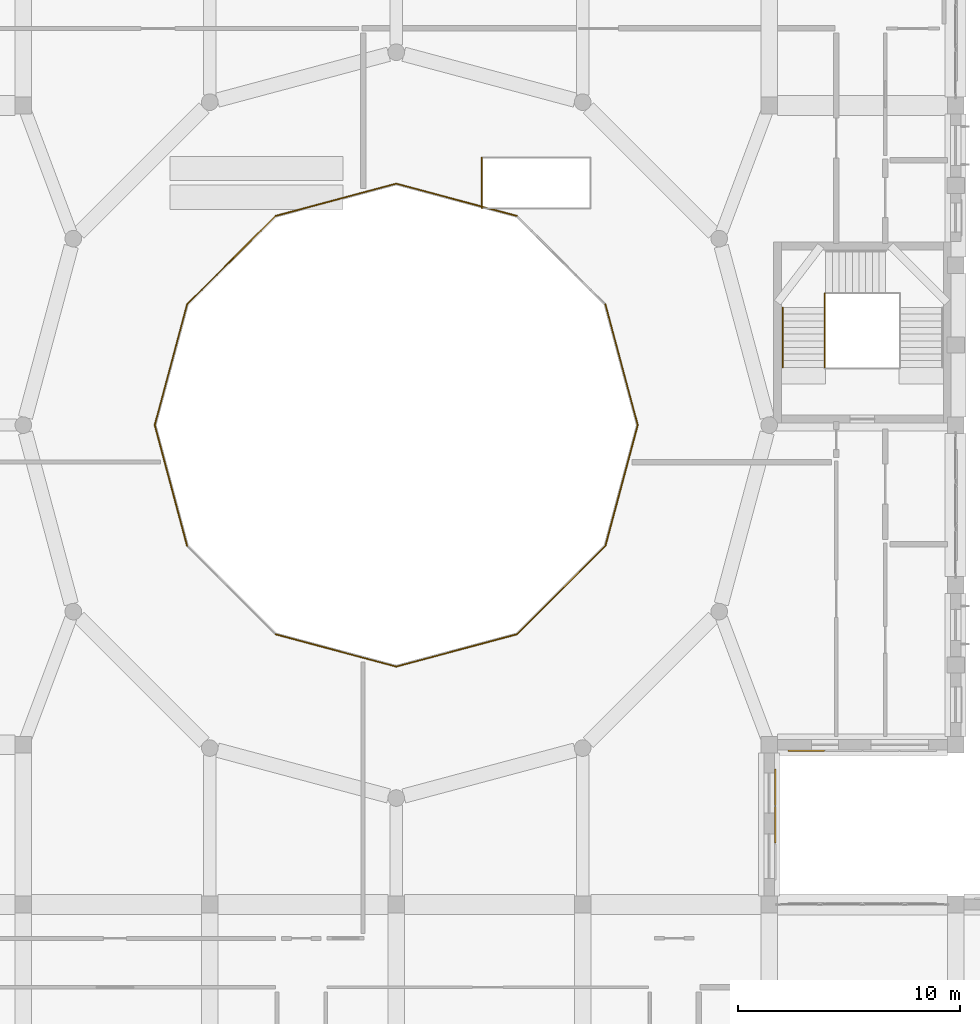
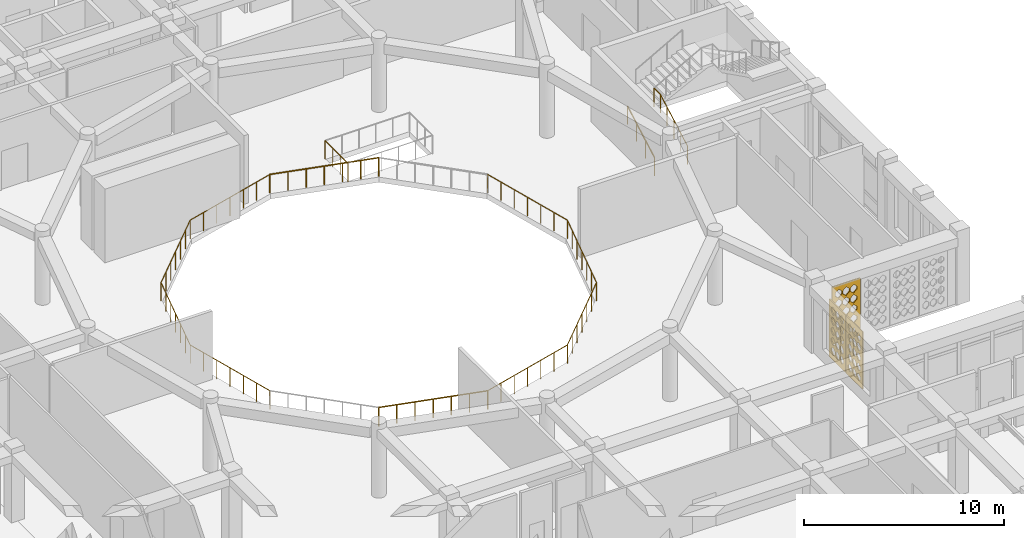
# One storey, part 91 of 111: 13 railings, 3 coverings.
"""IFC4 building model written with IfcOpenShell, lengths in metres."""

from ifc_helpers import new_model, si_unit, derived_unit, direction, frame, origin, origin_2d, place, context, subcontext, project, spatial, polyline, circle, outline, extrude, material, layer, layer_set, type_object, element, save


model = new_model("IFC4")

# Units and contexts
model_context = context("Model", 3, precision=1e-05, world=origin(), true_north=direction((0.0, 1.0)))
body_context = subcontext(model_context, "Body", "Model", "MODEL_VIEW")
ifc_project = project(units=[si_unit("LENGTHUNIT", "METRE"), si_unit("AREAUNIT", "SQUARE_METRE"), si_unit("VOLUMEUNIT", "CUBIC_METRE"), si_unit("PLANEANGLEUNIT", "RADIAN"), si_unit("MASSUNIT", "GRAM", prefix="KILO"), derived_unit("THERMALTRANSMITTANCEUNIT", [(si_unit("POWERUNIT", "WATT"), 1), (si_unit("LENGTHUNIT", "METRE"), -2), (si_unit("THERMODYNAMICTEMPERATUREUNIT", "KELVIN"), -1)])], contexts=[model_context])

# Site, building, storey
site_placement = place(None, origin())
site = spatial("IfcSite", under=ifc_project, at=site_placement, CompositionType="ELEMENT")
building_placement = place(site_placement, origin())
building = spatial("IfcBuilding", under=site, at=building_placement, Name="Veybourne Emporium", CompositionType="ELEMENT")
storey_placement = place(building_placement, frame((0.0, 0.0, 9.89990234375)))
storey = spatial("IfcBuildingStorey", under=building, at=storey_placement, Name="L02", CompositionType="ELEMENT", Elevation=9.89990234375)

# Railings
ifc_material_1 = material(Name="Patinated Architectural Bronze", Category="bronze")
railing_type_1 = type_object("IfcRailingType", Name="Balustrade_BL-01", PredefinedType="BALUSTRADE", material=ifc_material_1)
railing_1_placement = place(storey_placement, frame((86.47998046875, 50.39990234375, 0.0)))
element("IfcRailing", 1, at=railing_1_placement, inside=storey, type_object=railing_type_1, Name="L02 central atrium void balustrade 01", PredefinedType="BALUSTRADE", context=body_context, shape_type="SweptSolid", body=[
    extrude(circle(Radius=0.02392578125, at=origin_2d()), frame((0.0, 0.0, 1.1259765625), z_axis=(-0.25879025426, 0.965933540312, 0.0), x_axis=(-0.965933540312, -0.25879025426, 0.0)), (0.0, 0.0, 1.0), 5.632080078125),
    extrude(circle(Radius=0.02099609375, at=origin_2d()), origin(), (0.0, 0.0, 1.0), 1.101806640625),
    extrude(circle(Radius=0.02099609375, at=origin_2d()), frame((-0.242919921875, 0.90673828125, 0.0)), (0.0, 0.0, 1.0), 1.101806640625),
    extrude(circle(Radius=0.02099609375, at=origin_2d()), frame((-0.48583984375, 1.8134765625, 0.0)), (0.0, 0.0, 1.0), 1.101806640625),
    extrude(circle(Radius=0.02099609375, at=origin_2d()), frame((-0.728759765625, 2.72021484375, 0.0)), (0.0, 0.0, 1.0), 1.101806640625),
    extrude(circle(Radius=0.02099609375, at=origin_2d()), frame((-0.9716796875, 3.626708984375, 0.0)), (0.0, 0.0, 1.0), 1.101806640625),
    extrude(circle(Radius=0.02099609375, at=origin_2d()), frame((-1.214599609375, 4.533447265625, 0.0)), (0.0, 0.0, 1.0), 1.101806640625),
    extrude(circle(Radius=0.02099609375, at=origin_2d()), frame((-1.45751953125, 5.440185546875, 0.0)), (0.0, 0.0, 1.0), 1.101806640625),
])
railing_2_placement = place(storey_placement, frame((81.0400390625, 59.822265625, 0.0)))
element("IfcRailing", 2, at=railing_2_placement, inside=storey, type_object=railing_type_1, Name="L02 central atrium void balustrade 03", PredefinedType="BALUSTRADE", context=body_context, shape_type="SweptSolid", body=[
    extrude(circle(Radius=0.02392578125, at=origin_2d()), frame((0.0, 0.0, 1.1259765625), z_axis=(-0.965919799386, 0.258841536762, 0.0), x_axis=(-0.258841536762, -0.965919799386, 0.0)), (0.0, 0.0, 1.0), 5.6318359375),
    extrude(circle(Radius=0.02099609375, at=origin_2d()), origin(), (0.0, 0.0, 1.0), 1.101806640625),
    extrude(circle(Radius=0.02099609375, at=origin_2d()), frame((-0.90673828125, 0.242919921875, 0.0)), (0.0, 0.0, 1.0), 1.101806640625),
    extrude(circle(Radius=0.02099609375, at=origin_2d()), frame((-1.813232421875, 0.48583984375, 0.0)), (0.0, 0.0, 1.0), 1.101806640625),
    extrude(circle(Radius=0.02099609375, at=origin_2d()), frame((-2.719970703125, 0.72900390625, 0.0)), (0.0, 0.0, 1.0), 1.101806640625),
    extrude(circle(Radius=0.02099609375, at=origin_2d()), frame((-3.626708984375, 0.971923828125, 0.0)), (0.0, 0.0, 1.0), 1.101806640625),
    extrude(circle(Radius=0.02099609375, at=origin_2d()), frame((-4.533203125, 1.21484375, 0.0)), (0.0, 0.0, 1.0), 1.101806640625),
    extrude(circle(Radius=0.02099609375, at=origin_2d()), frame((-5.43994140625, 1.457763671875, 0.0)), (0.0, 0.0, 1.0), 1.101806640625),
])
railing_3_placement = place(storey_placement, frame((75.60009765625, 61.280029296875, 0.0)))
element("IfcRailing", 3, at=railing_3_placement, inside=storey, type_object=railing_type_1, Name="L02 central atrium void balustrade 04", PredefinedType="BALUSTRADE", context=body_context, shape_type="SweptSolid", body=[
    extrude(circle(Radius=0.02392578125, at=origin_2d()), frame((0.0, 0.0, 1.1259765625), z_axis=(-0.965922703593, -0.258830698881, 0.0), x_axis=(0.258830698881, -0.965922703593, 0.0)), (0.0, 0.0, 1.0), 5.632080078125),
    extrude(circle(Radius=0.02099609375, at=origin_2d()), origin(), (0.0, 0.0, 1.0), 1.101806640625),
    extrude(circle(Radius=0.02099609375, at=origin_2d()), frame((-0.90673828125, -0.242919921875, 0.0)), (0.0, 0.0, 1.0), 1.101806640625),
    extrude(circle(Radius=0.02099609375, at=origin_2d()), frame((-1.8134765625, -0.48583984375, 0.0)), (0.0, 0.0, 1.0), 1.101806640625),
    extrude(circle(Radius=0.02099609375, at=origin_2d()), frame((-2.72021484375, -0.72900390625, 0.0)), (0.0, 0.0, 1.0), 1.101806640625),
    extrude(circle(Radius=0.02099609375, at=origin_2d()), frame((-3.626708984375, -0.971923828125, 0.0)), (0.0, 0.0, 1.0), 1.101806640625),
    extrude(circle(Radius=0.02099609375, at=origin_2d()), frame((-4.533447265625, -1.21484375, 0.0)), (0.0, 0.0, 1.0), 1.101806640625),
    extrude(circle(Radius=0.02099609375, at=origin_2d()), frame((-5.440185546875, -1.457763671875, 0.0)), (0.0, 0.0, 1.0), 1.101806640625),
])
railing_4_placement = place(storey_placement, frame((70.159912109375, 59.822265625, 0.0)))
element("IfcRailing", 4, at=railing_4_placement, inside=storey, type_object=railing_type_1, Name="L02 central atrium void balustrade 05", PredefinedType="BALUSTRADE", context=body_context, shape_type="SweptSolid", body=[
    extrude(circle(Radius=0.02392578125, at=origin_2d()), frame((0.0, 0.0, 1.1259765625), z_axis=(-0.707106781187, -0.707106781187, 0.0), x_axis=(0.707106781187, -0.707106781187, 0.0)), (0.0, 0.0, 1.0), 5.631591796875),
    extrude(circle(Radius=0.02099609375, at=origin_2d()), origin(), (0.0, 0.0, 1.0), 1.101806640625),
    extrude(circle(Radius=0.02099609375, at=origin_2d()), frame((-0.66357421875, -0.66357421875, 0.0)), (0.0, 0.0, 1.0), 1.101806640625),
    extrude(circle(Radius=0.02099609375, at=origin_2d()), frame((-1.327392578125, -1.327392578125, 0.0)), (0.0, 0.0, 1.0), 1.101806640625),
    extrude(circle(Radius=0.02099609375, at=origin_2d()), frame((-1.9912109375, -1.9912109375, 0.0)), (0.0, 0.0, 1.0), 1.101806640625),
    extrude(circle(Radius=0.02099609375, at=origin_2d()), frame((-2.65478515625, -2.65478515625, 0.0)), (0.0, 0.0, 1.0), 1.101806640625),
    extrude(circle(Radius=0.02099609375, at=origin_2d()), frame((-3.318359375, -3.318359375, 0.0)), (0.0, 0.0, 1.0), 1.101806640625),
    extrude(circle(Radius=0.02099609375, at=origin_2d()), frame((-3.982177734375, -3.982177734375, 0.0)), (0.0, 0.0, 1.0), 1.101806640625),
])
railing_5_placement = place(storey_placement, frame((66.177734375, 55.840087890625, 0.0)))
element("IfcRailing", 5, at=railing_5_placement, inside=storey, type_object=railing_type_1, Name="L02 central atrium void balustrade 06", PredefinedType="BALUSTRADE", context=body_context, shape_type="SweptSolid", body=[
    extrude(circle(Radius=0.02392578125, at=origin_2d()), frame((0.0, 0.0, 1.1259765625), z_axis=(-0.258830698881, -0.965922703593, 0.0), x_axis=(0.965922703593, -0.258830698881, 0.0)), (0.0, 0.0, 1.0), 5.632080078125),
    extrude(circle(Radius=0.02099609375, at=origin_2d()), origin(), (0.0, 0.0, 1.0), 1.101806640625),
    extrude(circle(Radius=0.02099609375, at=origin_2d()), frame((-0.242919921875, -0.90673828125, 0.0)), (0.0, 0.0, 1.0), 1.101806640625),
    extrude(circle(Radius=0.02099609375, at=origin_2d()), frame((-0.48583984375, -1.8134765625, 0.0)), (0.0, 0.0, 1.0), 1.101806640625),
    extrude(circle(Radius=0.02099609375, at=origin_2d()), frame((-0.72900390625, -2.72021484375, 0.0)), (0.0, 0.0, 1.0), 1.101806640625),
    extrude(circle(Radius=0.02099609375, at=origin_2d()), frame((-0.971923828125, -3.626708984375, 0.0)), (0.0, 0.0, 1.0), 1.101806640625),
    extrude(circle(Radius=0.02099609375, at=origin_2d()), frame((-1.21484375, -4.533447265625, 0.0)), (0.0, 0.0, 1.0), 1.101806640625),
    extrude(circle(Radius=0.02099609375, at=origin_2d()), frame((-1.457763671875, -5.440185546875, 0.0)), (0.0, 0.0, 1.0), 1.101806640625),
])
railing_6_placement = place(storey_placement, frame((64.719970703125, 50.39990234375, 0.0)))
element("IfcRailing", 6, at=railing_6_placement, inside=storey, type_object=railing_type_1, Name="L02 central atrium void balustrade 07", PredefinedType="BALUSTRADE", context=body_context, shape_type="SweptSolid", body=[
    extrude(circle(Radius=0.02392578125, at=origin_2d()), frame((0.0, 0.0, 1.1259765625), z_axis=(0.258841536762, -0.965919799386, 0.0), x_axis=(0.965919799386, 0.258841536762, 0.0)), (0.0, 0.0, 1.0), 5.6318359375),
    extrude(circle(Radius=0.02099609375, at=origin_2d()), origin(), (0.0, 0.0, 1.0), 1.101806640625),
    extrude(circle(Radius=0.02099609375, at=origin_2d()), frame((0.242919921875, -0.90673828125, 0.0)), (0.0, 0.0, 1.0), 1.101806640625),
    extrude(circle(Radius=0.02099609375, at=origin_2d()), frame((0.48583984375, -1.813232421875, 0.0)), (0.0, 0.0, 1.0), 1.101806640625),
    extrude(circle(Radius=0.02099609375, at=origin_2d()), frame((0.72900390625, -2.719970703125, 0.0)), (0.0, 0.0, 1.0), 1.101806640625),
    extrude(circle(Radius=0.02099609375, at=origin_2d()), frame((0.971923828125, -3.626708984375, 0.0)), (0.0, 0.0, 1.0), 1.101806640625),
    extrude(circle(Radius=0.02099609375, at=origin_2d()), frame((1.21484375, -4.533203125, 0.0)), (0.0, 0.0, 1.0), 1.101806640625),
    extrude(circle(Radius=0.02099609375, at=origin_2d()), frame((1.457763671875, -5.43994140625, 0.0)), (0.0, 0.0, 1.0), 1.101806640625),
])
railing_7_placement = place(storey_placement, frame((70.159912109375, 40.9775390625, 0.0)))
element("IfcRailing", 7, at=railing_7_placement, inside=storey, type_object=railing_type_1, Name="L02 central atrium void balustrade 09", PredefinedType="BALUSTRADE", context=body_context, shape_type="SweptSolid", body=[
    extrude(circle(Radius=0.02392578125, at=origin_2d()), frame((0.0, 0.0, 1.1259765625), z_axis=(0.965933540312, -0.25879025426, 0.0), x_axis=(0.25879025426, 0.965933540312, 0.0)), (0.0, 0.0, 1.0), 5.632080078125),
    extrude(circle(Radius=0.02099609375, at=origin_2d()), origin(), (0.0, 0.0, 1.0), 1.101806640625),
    extrude(circle(Radius=0.02099609375, at=origin_2d()), frame((0.90673828125, -0.242919921875, 0.0)), (0.0, 0.0, 1.0), 1.101806640625),
    extrude(circle(Radius=0.02099609375, at=origin_2d()), frame((1.8134765625, -0.48583984375, 0.0)), (0.0, 0.0, 1.0), 1.101806640625),
    extrude(circle(Radius=0.02099609375, at=origin_2d()), frame((2.72021484375, -0.728759765625, 0.0)), (0.0, 0.0, 1.0), 1.101806640625),
    extrude(circle(Radius=0.02099609375, at=origin_2d()), frame((3.626708984375, -0.9716796875, 0.0)), (0.0, 0.0, 1.0), 1.101806640625),
    extrude(circle(Radius=0.02099609375, at=origin_2d()), frame((4.533447265625, -1.214599609375, 0.0)), (0.0, 0.0, 1.0), 1.101806640625),
    extrude(circle(Radius=0.02099609375, at=origin_2d()), frame((5.440185546875, -1.45751953125, 0.0)), (0.0, 0.0, 1.0), 1.101806640625),
])
railing_8_placement = place(storey_placement, frame((75.60009765625, 39.52001953125, 0.0)))
element("IfcRailing", 8, at=railing_8_placement, inside=storey, type_object=railing_type_1, Name="L02 central atrium void balustrade 10", PredefinedType="BALUSTRADE", context=body_context, shape_type="SweptSolid", body=[
    extrude(circle(Radius=0.02392578125, at=origin_2d()), frame((0.0, 0.0, 1.1259765625), z_axis=(0.96593063698, 0.258801090691, 0.0), x_axis=(-0.258801090691, 0.96593063698, 0.0)), (0.0, 0.0, 1.0), 5.6318359375),
    extrude(circle(Radius=0.02099609375, at=origin_2d()), origin(), (0.0, 0.0, 1.0), 1.101806640625),
    extrude(circle(Radius=0.02099609375, at=origin_2d()), frame((0.90673828125, 0.242919921875, 0.0)), (0.0, 0.0, 1.0), 1.101806640625),
    extrude(circle(Radius=0.02099609375, at=origin_2d()), frame((1.813232421875, 0.48583984375, 0.0)), (0.0, 0.0, 1.0), 1.101806640625),
    extrude(circle(Radius=0.02099609375, at=origin_2d()), frame((2.719970703125, 0.728759765625, 0.0)), (0.0, 0.0, 1.0), 1.101806640625),
    extrude(circle(Radius=0.02099609375, at=origin_2d()), frame((3.626708984375, 0.9716796875, 0.0)), (0.0, 0.0, 1.0), 1.101806640625),
    extrude(circle(Radius=0.02099609375, at=origin_2d()), frame((4.533203125, 1.214599609375, 0.0)), (0.0, 0.0, 1.0), 1.101806640625),
    extrude(circle(Radius=0.02099609375, at=origin_2d()), frame((5.43994140625, 1.45751953125, 0.0)), (0.0, 0.0, 1.0), 1.101806640625),
])
railing_9_placement = place(storey_placement, frame((81.0400390625, 40.9775390625, 0.0)))
element("IfcRailing", 9, at=railing_9_placement, inside=storey, type_object=railing_type_1, Name="L02 central atrium void balustrade 11", PredefinedType="BALUSTRADE", context=body_context, shape_type="SweptSolid", body=[
    extrude(circle(Radius=0.02392578125, at=origin_2d()), frame((0.0, 0.0, 1.1259765625), z_axis=(0.707106781187, 0.707106781187, 0.0), x_axis=(-0.707106781187, 0.707106781187, 0.0)), (0.0, 0.0, 1.0), 5.632080078125),
    extrude(circle(Radius=0.02099609375, at=origin_2d()), origin(), (0.0, 0.0, 1.0), 1.101806640625),
    extrude(circle(Radius=0.02099609375, at=origin_2d()), frame((0.663818359375, 0.663818359375, 0.0)), (0.0, 0.0, 1.0), 1.101806640625),
    extrude(circle(Radius=0.02099609375, at=origin_2d()), frame((1.327392578125, 1.327392578125, 0.0)), (0.0, 0.0, 1.0), 1.101806640625),
    extrude(circle(Radius=0.02099609375, at=origin_2d()), frame((1.9912109375, 1.9912109375, 0.0)), (0.0, 0.0, 1.0), 1.101806640625),
    extrude(circle(Radius=0.02099609375, at=origin_2d()), frame((2.655029296875, 2.655029296875, 0.0)), (0.0, 0.0, 1.0), 1.101806640625),
    extrude(circle(Radius=0.02099609375, at=origin_2d()), frame((3.318603515625, 3.318603515625, 0.0)), (0.0, 0.0, 1.0), 1.101806640625),
    extrude(circle(Radius=0.02099609375, at=origin_2d()), frame((3.982421875, 3.982421875, 0.0)), (0.0, 0.0, 1.0), 1.101806640625),
])
railing_10_placement = place(storey_placement, frame((85.0224609375, 44.9599609375, 0.0)))
element("IfcRailing", 10, at=railing_10_placement, inside=storey, type_object=railing_type_1, Name="L02 central atrium void balustrade 12", PredefinedType="BALUSTRADE", context=body_context, shape_type="SweptSolid", body=[
    extrude(circle(Radius=0.02392578125, at=origin_2d()), frame((0.0, 0.0, 1.1259765625), z_axis=(0.258801090691, 0.96593063698, 0.0), x_axis=(-0.96593063698, 0.258801090691, 0.0)), (0.0, 0.0, 1.0), 5.6318359375),
    extrude(circle(Radius=0.02099609375, at=origin_2d()), origin(), (0.0, 0.0, 1.0), 1.101806640625),
    extrude(circle(Radius=0.02099609375, at=origin_2d()), frame((0.242919921875, 0.90673828125, 0.0)), (0.0, 0.0, 1.0), 1.101806640625),
    extrude(circle(Radius=0.02099609375, at=origin_2d()), frame((0.48583984375, 1.813232421875, 0.0)), (0.0, 0.0, 1.0), 1.101806640625),
    extrude(circle(Radius=0.02099609375, at=origin_2d()), frame((0.728759765625, 2.719970703125, 0.0)), (0.0, 0.0, 1.0), 1.101806640625),
    extrude(circle(Radius=0.02099609375, at=origin_2d()), frame((0.9716796875, 3.626708984375, 0.0)), (0.0, 0.0, 1.0), 1.101806640625),
    extrude(circle(Radius=0.02099609375, at=origin_2d()), frame((1.214599609375, 4.533203125, 0.0)), (0.0, 0.0, 1.0), 1.101806640625),
    extrude(circle(Radius=0.02099609375, at=origin_2d()), frame((1.45751953125, 5.43994140625, 0.0)), (0.0, 0.0, 1.0), 1.101806640625),
])
railing_11_placement = place(storey_placement, frame((79.4599609375, 62.451904296875, 0.0)))
element("IfcRailing", 11, at=railing_11_placement, inside=storey, type_object=railing_type_1, Name="L02 escalator well balustrade 1.4", PredefinedType="BALUSTRADE", context=body_context, shape_type="SweptSolid", body=[
    extrude(circle(Radius=0.02392578125, at=origin_2d()), frame((0.0, 0.0, 1.1259765625), z_axis=(0.0, -1.0, 0.0), x_axis=(1.0, 0.0, 0.0)), (0.0, 0.0, 1.0), 2.280029296875),
    extrude(circle(Radius=0.02099609375, at=origin_2d()), origin(), (0.0, 0.0, 1.0), 1.101806640625),
    extrude(circle(Radius=0.02099609375, at=origin_2d()), frame((0.0, -0.760009765625, 0.0)), (0.0, 0.0, 1.0), 1.101806640625),
    extrude(circle(Radius=0.02099609375, at=origin_2d()), frame((0.0, -1.52001953125, 0.0)), (0.0, 0.0, 1.0), 1.101806640625),
    extrude(circle(Radius=0.02099609375, at=origin_2d()), frame((0.0, -2.280029296875, 0.0)), (0.0, 0.0, 1.0), 1.101806640625),
])
ifc_material_2 = material(Name="Brushed Stainless Steel", Category="steel")
railing_type_2 = type_object("IfcRailingType", Name="Guard_GR-01", PredefinedType="GUARDRAIL", material=ifc_material_2)
railing_12_placement = place(storey_placement, frame((94.909912109375, 53.0, 0.0)))
element("IfcRailing", 12, at=railing_12_placement, inside=storey, type_object=railing_type_2, Name="L02 ST-07 stair guard 1", PredefinedType="GUARDRAIL", context=body_context, shape_type="SweptSolid", body=[
    extrude(circle(Radius=0.02392578125, at=origin_2d()), frame((0.0, 0.0, 1.1259765625), z_axis=(0.0, 0.87415354758, 0.485649642493), x_axis=(-1.0, 0.0, 0.0)), (0.0, 0.0, 1.0), 3.088623046875),
    extrude(circle(Radius=0.02392578125, at=origin_2d()), frame((0.0, 2.699951171875, 2.6259765625), z_axis=(0.0, 1.0, 0.0), x_axis=(-1.0, 0.0, 0.0)), (0.0, 0.0, 1.0), 0.64013671875),
    extrude(circle(Radius=0.02099609375, at=origin_2d()), origin(), (0.0, 0.0, 1.0), 1.101806640625),
    extrude(circle(Radius=0.02099609375, at=origin_2d()), frame((0.0, 0.675048828125, 0.375)), (0.0, 0.0, 1.0), 1.101806640625),
    extrude(circle(Radius=0.02099609375, at=origin_2d()), frame((0.0, 1.35009765625, 0.75)), (0.0, 0.0, 1.0), 1.101806640625),
    extrude(circle(Radius=0.02099609375, at=origin_2d()), frame((0.0, 2.02490234375, 1.125)), (0.0, 0.0, 1.0), 1.101806640625),
    extrude(circle(Radius=0.02099609375, at=origin_2d()), frame((0.0, 2.699951171875, 1.5)), (0.0, 0.0, 1.0), 1.101806640625),
    extrude(circle(Radius=0.02099609375, at=origin_2d()), frame((0.0, 3.340087890625, 1.5)), (0.0, 0.0, 1.0), 1.101806640625),
])
railing_type_3 = type_object("IfcRailingType", Name="Handrail_HR-01", PredefinedType="HANDRAIL", material=ifc_material_2)
railing_13_placement = place(storey_placement, frame((93.010009765625, 53.0, 0.150146484375)))
element("IfcRailing", 13, at=railing_13_placement, inside=storey, type_object=railing_type_3, Name="L02 ST-07 pitch handrail 1", PredefinedType="HANDRAIL", context=body_context, shape_type="SweptSolid", body=[
    extrude(circle(Radius=0.02392578125, at=origin_2d()), frame((0.0, 0.0, 0.92578125), z_axis=(0.0, 0.87415354758, 0.485649642493), x_axis=(-1.0, 0.0, 0.0)), (0.0, 0.0, 1.0), 3.088623046875),
    extrude(circle(Radius=0.02099609375, at=origin_2d()), frame((0.0, 0.0, -0.14990234375)), (0.0, 0.0, 1.0), 1.0517578125),
    extrude(circle(Radius=0.02099609375, at=origin_2d()), frame((0.0, 0.89990234375, 0.35009765625)), (0.0, 0.0, 1.0), 1.0517578125),
    extrude(circle(Radius=0.02099609375, at=origin_2d()), frame((0.0, 1.800048828125, 0.85009765625)), (0.0, 0.0, 1.0), 1.0517578125),
    extrude(circle(Radius=0.02099609375, at=origin_2d()), frame((0.0, 2.699951171875, 1.35009765625)), (0.0, 0.0, 1.0), 1.0517578125),
])

# Coverings
ifc_material_3 = material(Name="Warm-White Perforated Aluminium Screen Alloy", Category="aluminium")
ifc_layer_1 = layer(ifc_material_3, 0.06005859375)
ifc_layer_set_1 = layer_set([ifc_layer_1], Name="Warm-White Perforated Aluminium Screen Alloy")
covering_type_1 = type_object("IfcCoveringType", Name="WaveScreen_SCR-01", PredefinedType="CLADDING", material=ifc_layer_set_1)
covering_1_placement = place(storey_placement, frame((92.697998046875, 32.39990234375, 1.815185546875), z_axis=(-1.0, 0.0, 0.0), x_axis=(0.0, -1.0, 0.0)))
element("IfcCovering", 14, at=covering_1_placement, inside=storey, type_object=covering_type_1, Name="L02 wave-perforated aluminium screen SCR-01 (44.2)", PredefinedType="CLADDING", context=body_context, shape_type="SweptSolid", body=[
    extrude(outline(polyline([(-0.81982421875, -1.7548828125), (0.81982421875, -1.7548828125), (0.81982421875, 1.7548828125), (-0.81982421875, 1.7548828125), (-0.81982421875, -1.7548828125)]), holes=[polyline([(-0.433349609375, -1.00390625), (-0.2470703125, -1.147216796875), (-0.2470703125, -1.30859375), (-0.433349609375, -1.4521484375), (-0.61962890625, -1.30859375), (-0.61962890625, -1.147216796875), (-0.433349609375, -1.00390625)]), polyline([(-0.433349609375, -0.377197265625), (-0.2470703125, -0.52880859375), (-0.2470703125, -0.69921875), (-0.433349609375, -0.8505859375), (-0.61962890625, -0.69921875), (-0.61962890625, -0.52880859375), (-0.433349609375, -0.377197265625)]), polyline([(-0.433349609375, 0.248046875), (-0.2470703125, 0.08935546875), (-0.2470703125, -0.08935546875), (-0.433349609375, -0.248046875), (-0.61962890625, -0.08935546875), (-0.61962890625, 0.08935546875), (-0.433349609375, 0.248046875)]), polyline([(-0.433349609375, 0.87158203125), (-0.2470703125, 0.706787109375), (-0.2470703125, 0.521240234375), (-0.433349609375, 0.3564453125), (-0.61962890625, 0.521240234375), (-0.61962890625, 0.706787109375), (-0.433349609375, 0.87158203125)]), polyline([(-0.433349609375, 1.491943359375), (-0.2470703125, 1.322998046875), (-0.2470703125, 1.133056640625), (-0.433349609375, 0.964111328125), (-0.61962890625, 1.133056640625), (-0.61962890625, 1.322998046875), (-0.433349609375, 1.491943359375)]), polyline([(0.0, -1.010009765625), (0.186279296875, -1.1494140625), (0.186279296875, -1.306396484375), (0.0, -1.446044921875), (-0.186279296875, -1.306396484375), (-0.186279296875, -1.1494140625), (0.0, -1.010009765625)]), polyline([(0.0, -0.3828125), (0.186279296875, -0.53076171875), (0.186279296875, -0.697265625), (0.0, -0.84521484375), (-0.186279296875, -0.697265625), (-0.186279296875, -0.53076171875), (0.0, -0.3828125)]), polyline([(0.0, 0.2431640625), (0.186279296875, 0.08740234375), (0.186279296875, -0.08740234375), (0.0, -0.2431640625), (-0.186279296875, -0.08740234375), (-0.186279296875, 0.08740234375), (0.0, 0.2431640625)]), polyline([(0.0, 0.867431640625), (0.186279296875, 0.705078125), (0.186279296875, 0.522705078125), (0.0, 0.360595703125), (-0.186279296875, 0.522705078125), (-0.186279296875, 0.705078125), (0.0, 0.867431640625)]), polyline([(0.0, 1.489990234375), (0.186279296875, 1.322265625), (0.186279296875, 1.1337890625), (0.0, 0.9658203125), (-0.186279296875, 1.1337890625), (-0.186279296875, 1.322265625), (0.0, 1.489990234375)]), polyline([(0.433349609375, -1.01611328125), (0.61669921875, -1.151611328125), (0.61669921875, -1.30419921875), (0.433349609375, -1.43994140625), (0.25, -1.30419921875), (0.25, -1.151611328125), (0.433349609375, -1.01611328125)]), polyline([(0.433349609375, -0.388671875), (0.61962890625, -0.532958984375), (0.61962890625, -0.695068359375), (0.433349609375, -0.83935546875), (0.2470703125, -0.695068359375), (0.2470703125, -0.532958984375), (0.433349609375, -0.388671875)]), polyline([(0.433349609375, 0.23779296875), (0.61962890625, 0.085693359375), (0.61962890625, -0.085693359375), (0.433349609375, -0.23779296875), (0.2470703125, -0.085693359375), (0.2470703125, 0.085693359375), (0.433349609375, 0.23779296875)]), polyline([(0.433349609375, 0.863037109375), (0.61962890625, 0.70361328125), (0.61962890625, 0.5244140625), (0.433349609375, 0.364990234375), (0.2470703125, 0.5244140625), (0.2470703125, 0.70361328125), (0.433349609375, 0.863037109375)]), polyline([(0.433349609375, 1.486328125), (0.61962890625, 1.321044921875), (0.61962890625, 1.135009765625), (0.433349609375, 0.969482421875), (0.2470703125, 1.135009765625), (0.2470703125, 1.321044921875), (0.433349609375, 1.486328125)])]), origin(), (0.0, 0.0, 1.0), 0.06005859375),
])
ifc_layer_2 = layer(ifc_material_3, 0.06005859375)
ifc_layer_set_2 = layer_set([ifc_layer_2], Name="Warm-White Perforated Aluminium Screen Alloy")
covering_type_2 = type_object("IfcCoveringType", Name="WaveScreen_SCR-04", PredefinedType="CLADDING", material=ifc_layer_set_2)
covering_2_placement = place(storey_placement, frame((92.697998046875, 34.080078125, 1.815185546875), z_axis=(-1.0, 0.0, 0.0), x_axis=(0.0, -1.0, 0.0)))
element("IfcCovering", 15, at=covering_2_placement, inside=storey, type_object=covering_type_2, Name="L02 wave-perforated aluminium screen SCR-04 (44.1)", PredefinedType="CLADDING", context=body_context, shape_type="SweptSolid", body=[
    extrude(outline(polyline([(-0.81982421875, -1.7548828125), (0.81982421875, -1.7548828125), (0.81982421875, 1.7548828125), (-0.81982421875, 1.7548828125), (-0.81982421875, -1.7548828125)]), holes=[polyline([(-0.433349609375, -0.982666015625), (-0.2470703125, -1.1396484375), (-0.2470703125, -1.31640625), (-0.433349609375, -1.473388671875), (-0.61962890625, -1.31640625), (-0.61962890625, -1.1396484375), (-0.433349609375, -0.982666015625)]), polyline([(-0.433349609375, -0.3583984375), (-0.2470703125, -0.52197265625), (-0.2470703125, -0.7060546875), (-0.433349609375, -0.869384765625), (-0.61962890625, -0.7060546875), (-0.61962890625, -0.52197265625), (-0.433349609375, -0.3583984375)]), polyline([(-0.433349609375, 0.263671875), (-0.2470703125, 0.094970703125), (-0.2470703125, -0.094970703125), (-0.433349609375, -0.263671875), (-0.61962890625, -0.094970703125), (-0.61962890625, 0.094970703125), (-0.433349609375, 0.263671875)]), polyline([(-0.433349609375, 0.8779296875), (-0.2470703125, 0.708984375), (-0.2470703125, 0.51904296875), (-0.433349609375, 0.35009765625), (-0.61962890625, 0.51904296875), (-0.61962890625, 0.708984375), (-0.433349609375, 0.8779296875)]), polyline([(-0.433349609375, 1.491943359375), (-0.2470703125, 1.322998046875), (-0.2470703125, 1.133056640625), (-0.433349609375, 0.964111328125), (-0.61962890625, 1.133056640625), (-0.61962890625, 1.322998046875), (-0.433349609375, 1.491943359375)]), polyline([(0.0, -0.98779296875), (0.186279296875, -1.1416015625), (0.186279296875, -1.314453125), (0.0, -1.46826171875), (-0.186279296875, -1.314453125), (-0.186279296875, -1.1416015625), (0.0, -0.98779296875)]), polyline([(0.0, -0.36279296875), (0.186279296875, -0.523681640625), (0.186279296875, -0.704345703125), (0.0, -0.864990234375), (-0.186279296875, -0.704345703125), (-0.186279296875, -0.523681640625), (0.0, -0.36279296875)]), polyline([(0.0, 0.26025390625), (0.186279296875, 0.09375), (0.186279296875, -0.09375), (0.0, -0.26025390625), (-0.186279296875, -0.09375), (-0.186279296875, 0.09375), (0.0, 0.26025390625)]), polyline([(0.0, 0.8779296875), (0.186279296875, 0.708984375), (0.186279296875, 0.51904296875), (0.0, 0.35009765625), (-0.186279296875, 0.51904296875), (-0.186279296875, 0.708984375), (0.0, 0.8779296875)]), polyline([(0.0, 1.491943359375), (0.186279296875, 1.322998046875), (0.186279296875, 1.133056640625), (0.0, 0.964111328125), (-0.186279296875, 1.133056640625), (-0.186279296875, 1.322998046875), (0.0, 1.491943359375)]), polyline([(0.433349609375, -0.9931640625), (0.61962890625, -1.143310546875), (0.61962890625, -1.3125), (0.433349609375, -1.462890625), (0.2470703125, -1.3125), (0.2470703125, -1.143310546875), (0.433349609375, -0.9931640625)]), polyline([(0.433349609375, -0.36767578125), (0.61962890625, -0.525390625), (0.61962890625, -0.70263671875), (0.433349609375, -0.8603515625), (0.2470703125, -0.70263671875), (0.2470703125, -0.525390625), (0.433349609375, -0.36767578125)]), polyline([(0.433349609375, 0.25634765625), (0.61962890625, 0.09228515625), (0.61962890625, -0.09228515625), (0.433349609375, -0.25634765625), (0.2470703125, -0.09228515625), (0.2470703125, 0.09228515625), (0.433349609375, 0.25634765625)]), polyline([(0.433349609375, 0.8779296875), (0.61962890625, 0.708984375), (0.61962890625, 0.51904296875), (0.433349609375, 0.35009765625), (0.2470703125, 0.51904296875), (0.2470703125, 0.708984375), (0.433349609375, 0.8779296875)]), polyline([(0.433349609375, 1.491943359375), (0.61962890625, 1.322998046875), (0.61962890625, 1.133056640625), (0.433349609375, 0.964111328125), (0.2470703125, 1.133056640625), (0.2470703125, 1.322998046875), (0.433349609375, 1.491943359375)])]), origin(), (0.0, 0.0, 1.0), 0.06005859375),
])
covering_3_placement = place(storey_placement, frame((94.080078125, 35.701904296875, 1.815185546875), z_axis=(0.0, 1.0, 0.0), x_axis=(-1.0, 0.0, 0.0)))
element("IfcCovering", 16, at=covering_3_placement, inside=storey, type_object=covering_type_2, Name="L02 wave-perforated aluminium screen SCR-04 (49.4)", PredefinedType="CLADDING", context=body_context, shape_type="SweptSolid", body=[
    extrude(outline(polyline([(-0.81982421875, -1.7548828125), (0.81982421875, -1.7548828125), (0.81982421875, 1.7548828125), (-0.81982421875, 1.7548828125), (-0.81982421875, -1.7548828125)]), holes=[polyline([(-0.433349609375, -0.964111328125), (-0.2470703125, -1.133056640625), (-0.2470703125, -1.322998046875), (-0.433349609375, -1.491943359375), (-0.61962890625, -1.322998046875), (-0.61962890625, -1.133056640625), (-0.433349609375, -0.964111328125)]), polyline([(-0.433349609375, -0.35009765625), (-0.2470703125, -0.51904296875), (-0.2470703125, -0.708984375), (-0.433349609375, -0.8779296875), (-0.61962890625, -0.708984375), (-0.61962890625, -0.51904296875), (-0.433349609375, -0.35009765625)]), polyline([(-0.433349609375, 0.263916015625), (-0.2470703125, 0.094970703125), (-0.2470703125, -0.094970703125), (-0.433349609375, -0.263916015625), (-0.61962890625, -0.094970703125), (-0.61962890625, 0.094970703125), (-0.433349609375, 0.263916015625)]), polyline([(-0.433349609375, 0.8779296875), (-0.2470703125, 0.708984375), (-0.2470703125, 0.51904296875), (-0.433349609375, 0.35009765625), (-0.61962890625, 0.51904296875), (-0.61962890625, 0.708984375), (-0.433349609375, 0.8779296875)]), polyline([(-0.433349609375, 1.491943359375), (-0.2470703125, 1.322998046875), (-0.2470703125, 1.133056640625), (-0.433349609375, 0.964111328125), (-0.61962890625, 1.133056640625), (-0.61962890625, 1.322998046875), (-0.433349609375, 1.491943359375)]), polyline([(0.0, -0.964111328125), (0.186279296875, -1.133056640625), (0.186279296875, -1.322998046875), (0.0, -1.491943359375), (-0.186279296875, -1.322998046875), (-0.186279296875, -1.133056640625), (0.0, -0.964111328125)]), polyline([(0.0, -0.35009765625), (0.186279296875, -0.51904296875), (0.186279296875, -0.708984375), (0.0, -0.8779296875), (-0.186279296875, -0.708984375), (-0.186279296875, -0.51904296875), (0.0, -0.35009765625)]), polyline([(0.0, 0.263916015625), (0.186279296875, 0.094970703125), (0.186279296875, -0.094970703125), (0.0, -0.263916015625), (-0.186279296875, -0.094970703125), (-0.186279296875, 0.094970703125), (0.0, 0.263916015625)]), polyline([(0.0, 0.8779296875), (0.186279296875, 0.708984375), (0.186279296875, 0.51904296875), (0.0, 0.35009765625), (-0.186279296875, 0.51904296875), (-0.186279296875, 0.708984375), (0.0, 0.8779296875)]), polyline([(0.0, 1.491943359375), (0.186279296875, 1.322998046875), (0.186279296875, 1.133056640625), (0.0, 0.964111328125), (-0.186279296875, 1.133056640625), (-0.186279296875, 1.322998046875), (0.0, 1.491943359375)]), polyline([(0.433349609375, -0.964111328125), (0.61962890625, -1.133056640625), (0.61962890625, -1.322998046875), (0.433349609375, -1.491943359375), (0.2470703125, -1.322998046875), (0.2470703125, -1.133056640625), (0.433349609375, -0.964111328125)]), polyline([(0.433349609375, -0.35009765625), (0.61962890625, -0.51904296875), (0.61962890625, -0.708984375), (0.433349609375, -0.8779296875), (0.2470703125, -0.708984375), (0.2470703125, -0.51904296875), (0.433349609375, -0.35009765625)]), polyline([(0.433349609375, 0.263916015625), (0.61962890625, 0.094970703125), (0.61962890625, -0.094970703125), (0.433349609375, -0.263916015625), (0.2470703125, -0.094970703125), (0.2470703125, 0.094970703125), (0.433349609375, 0.263916015625)]), polyline([(0.433349609375, 0.8779296875), (0.61962890625, 0.708984375), (0.61962890625, 0.51904296875), (0.433349609375, 0.35009765625), (0.2470703125, 0.51904296875), (0.2470703125, 0.708984375), (0.433349609375, 0.8779296875)]), polyline([(0.433349609375, 1.491943359375), (0.61962890625, 1.322998046875), (0.61962890625, 1.133056640625), (0.433349609375, 0.964111328125), (0.2470703125, 1.133056640625), (0.2470703125, 1.322998046875), (0.433349609375, 1.491943359375)])]), origin(), (0.0, 0.0, 1.0), 0.06005859375),
])

save(model, "model.ifc")
